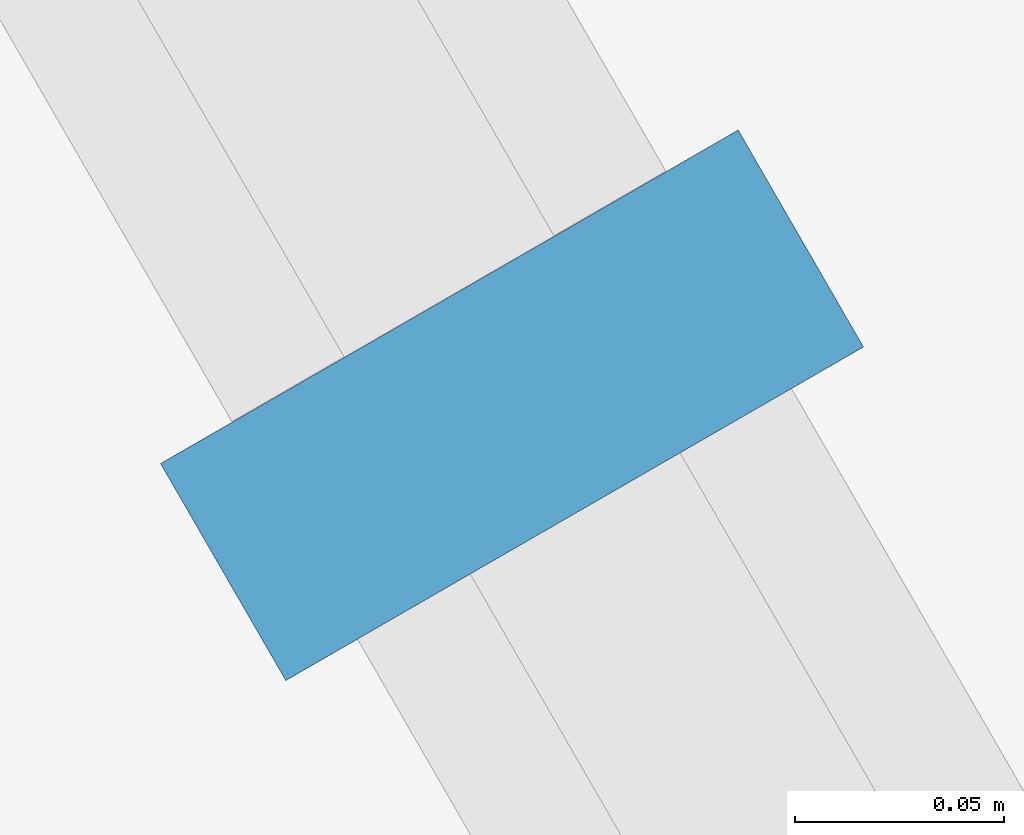
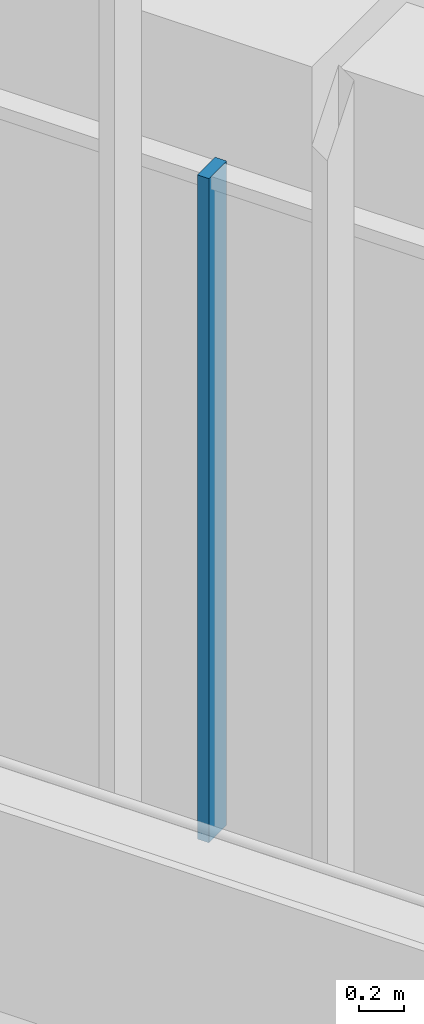
# One storey, part 3 of 127: 1 member, 1 element without a shape of its own.
"""IFC4 building model written with IfcOpenShell, lengths in metres."""

import ifcopenshell
import ifcopenshell.guid

model = None  # the IFC model being written
_history = None  # IfcOwnerHistory: only IFC2X3 demands one
_inside = {}  # id of a spatial element -> (the spatial element, [elements in it])
_under = {}  # id of a project, library or spatial element -> (it, [spatial elements below it])
_declared = {}  # id of a project -> (the project, [libraries it declares])
_typed = {}  # id of a type object -> (the type object, [elements of that type])
_made_of = {}  # id of a material, layer set ... -> (it, [elements and type objects made of it])


def new_model(schema):
    """Start an empty IFC model of exactly this schema.

    Asked for "IFC4X3", IfcOpenShell would pick the latest addendum, in which some entities
    have other attributes; the version numbers below select the first issue.
    IFC2X3 requires an IfcOwnerHistory on every rooted entity: one is made here for all.
    """
    global model, _history
    if schema == "IFC4X3":
        model = ifcopenshell.file(schema_version=(4, 3, 0, 0))
    else:
        model = ifcopenshell.file(schema=schema)
    _inside.clear()
    _under.clear()
    _declared.clear()
    _typed.clear()
    _made_of.clear()
    _history = None
    if model.schema == "IFC2X3":
        org = make("IfcOrganization", Name="unknown")
        user = make(
            "IfcPersonAndOrganization",
            ThePerson=make("IfcPerson", FamilyName="unknown"),
            TheOrganization=org,
        )
        app = make(
            "IfcApplication",
            ApplicationDeveloper=org,
            Version="unknown",
            ApplicationFullName="unknown",
            ApplicationIdentifier="unknown",
        )
        _history = make(
            "IfcOwnerHistory",
            OwningUser=user,
            OwningApplication=app,
            ChangeAction="ADDED",
            CreationDate=0,
        )
    return model


def make(cls, **values):
    """One entity of the class cls with the attributes given. An attribute that is None is left unset."""
    return model.create_entity(
        cls, **{name: value for name, value in values.items() if value is not None}
    )


def rooted(cls, **values):
    """An entity with a GlobalId (a new one), such as an element, a storey or a relation."""
    return make(cls, GlobalId=ifcopenshell.guid.new(), OwnerHistory=_history, **values)


def si_unit(unit_type, name, prefix=None):
    """IfcSIUnit, for example si_unit("LENGTHUNIT", "METRE", prefix="MILLI")."""
    return make("IfcSIUnit", UnitType=unit_type, Prefix=prefix, Name=name)


def assignment(units):
    """IfcUnitAssignment: the units of a project."""
    return None if units is None else make("IfcUnitAssignment", Units=units)


def point(xyz):
    """IfcCartesianPoint."""
    return None if xyz is None else make("IfcCartesianPoint", Coordinates=xyz)


def direction(xyz):
    """IfcDirection."""
    return None if xyz is None else make("IfcDirection", DirectionRatios=xyz)


def frame(location, z_axis=None, x_axis=None):
    """IfcAxis2Placement3D, a coordinate frame: its origin and axes. An axis left out is left unset."""
    return make(
        "IfcAxis2Placement3D",
        Location=point(location),
        Axis=direction(z_axis),
        RefDirection=direction(x_axis),
    )


def frame_2d(location, x_axis=None):
    """IfcAxis2Placement2D, a coordinate frame in the plane: its origin and x axis."""
    return make(
        "IfcAxis2Placement2D", Location=point(location), RefDirection=direction(x_axis)
    )


def origin():
    """The frame at (0, 0, 0) with its axes left unset."""
    return frame((0.0, 0.0, 0.0))


def origin_2d():
    """The frame at (0, 0) in the plane with its x axis left unset."""
    return frame_2d((0.0, 0.0))


def place(relative_to, where):
    """IfcLocalPlacement: puts the frame where relative to a parent placement (None: the world)."""
    return make(
        "IfcLocalPlacement", PlacementRelTo=relative_to, RelativePlacement=where
    )


def context(
    kind, dimensions, precision=None, world=None, true_north=None, identifier=None
):
    """IfcGeometricRepresentationContext, for example the 3D "Model" context."""
    return make(
        "IfcGeometricRepresentationContext",
        ContextIdentifier=identifier,
        ContextType=kind,
        CoordinateSpaceDimension=dimensions,
        Precision=precision,
        WorldCoordinateSystem=world,
        TrueNorth=true_north,
    )


def subcontext(parent, identifier, kind, view, scale=None):
    """IfcGeometricRepresentationSubContext, for example "Body" below "Model"."""
    return make(
        "IfcGeometricRepresentationSubContext",
        ContextIdentifier=identifier,
        ContextType=kind,
        ParentContext=parent,
        TargetScale=scale,
        TargetView=view,
    )


def project(units=None, contexts=None):
    """IfcProject with its units and contexts."""
    return rooted(
        "IfcProject",
        Name="project",
        RepresentationContexts=contexts,
        UnitsInContext=assignment(units),
    )


def spatial(cls, under=None, at=None, **own):
    """A site, building, storey or space (cls), placed at a placement, below another one or the project."""
    s = rooted(cls, ObjectPlacement=at, **own)
    if under is not None:
        _under.setdefault(under.id(), (under, []))[1].append(s)
    return s


def profile(cls, at=None, kind="AREA", **sizes):
    """A parametric profile (cls). Its sizes go by their IFC names, for example OverallWidth=200.0."""
    return make(cls, ProfileType=kind, Position=at, **sizes)


def rectangle(**sizes):
    """IfcRectangleProfileDef."""
    return profile("IfcRectangleProfileDef", **sizes)


def extrude(swept, where, along, depth):
    """IfcExtrudedAreaSolid: the profile swept, set in the frame where, extruded along a direction by depth."""
    return make(
        "IfcExtrudedAreaSolid",
        SweptArea=swept,
        Position=where,
        ExtrudedDirection=direction(along),
        Depth=depth,
    )


def shape(context_of_items, identifier, shape_type, items):
    """IfcShapeRepresentation: the items that make up one representation, for example the "Body"."""
    return make(
        "IfcShapeRepresentation",
        ContextOfItems=context_of_items,
        RepresentationIdentifier=identifier,
        RepresentationType=shape_type,
        Items=items,
    )


def material(Name=None, Category=None):
    """IfcMaterial."""
    return make("IfcMaterial", Name=Name, Category=Category)


def material_profile(
    of_material, cross_section, Name=None, Category=None, Priority=None
):
    """IfcMaterialProfile: a cross section and its material."""
    return make(
        "IfcMaterialProfile",
        Name=Name,
        Material=of_material,
        Profile=cross_section,
        Priority=Priority,
        Category=Category,
    )


def profile_set(profiles, Name=None, composite=None):
    """IfcMaterialProfileSet."""
    return make(
        "IfcMaterialProfileSet",
        Name=Name,
        MaterialProfiles=profiles,
        CompositeProfile=composite,
    )


def made_of(thing, what):
    """Note that an element or type object is made of a material, layer set ...; save() writes the relation."""
    if what is not None:
        _made_of.setdefault(what.id(), (what, []))[1].append(thing)
    return thing


def type_object(cls, material=None, **own):
    """A type object (cls), such as IfcWallType, which elements share."""
    return made_of(rooted(cls, **own), material)


def element(
    cls,
    number,
    at=None,
    inside=None,
    cuts=None,
    type_object=None,
    material=None,
    context=None,
    identifier="Body",
    shape_type=None,
    held_by="IfcProductDefinitionShape",
    body=None,
    shapes=None,
    **own,
):
    """One element of the class cls, such as IfcWall. Its Tag is "e" and its number.

    at: its placement. inside: the storey or other place that contains it. cuts: it is an
    opening in that element (IfcRelVoidsElement). A single representation is given by context,
    identifier, shape_type and body (its items); several are given by shapes. held_by: the class
    of the entity that holds the representations. save() writes the other relations.
    """
    e = rooted(cls, Tag="e%d" % number, ObjectPlacement=at, **own)
    if body is not None:
        shapes = [shape(context, identifier, shape_type, body)]
    if shapes is not None:
        e.Representation = make(held_by, Representations=shapes)
    if inside is not None:
        _inside.setdefault(inside.id(), (inside, []))[1].append(e)
    if cuts is not None:
        rooted(
            "IfcRelVoidsElement", RelatingBuildingElement=cuts, RelatedOpeningElement=e
        )
    if type_object is not None:
        _typed.setdefault(type_object.id(), (type_object, []))[1].append(e)
    return made_of(e, material)


def aggregate(whole, parts):
    """IfcRelAggregates: a whole, such as a stair, and the parts it consists of."""
    return rooted("IfcRelAggregates", RelatingObject=whole, RelatedObjects=parts)


def save(model, path):
    """Write the relations noted so far, then the file.

    IfcRelAggregates (storeys below a building ...), IfcRelContainedInSpatialStructure (elements
    in a storey), IfcRelDefinesByType, IfcRelAssociatesMaterial and IfcRelDeclares: one each for
    every whole, place, type object, material and project.
    """
    for whole, parts in _under.values():
        aggregate(whole, parts)
    for where, things in _inside.values():
        rooted(
            "IfcRelContainedInSpatialStructure",
            RelatedElements=things,
            RelatingStructure=where,
        )
    for kind, things in _typed.values():
        rooted("IfcRelDefinesByType", RelatedObjects=things, RelatingType=kind)
    for what, things in _made_of.values():
        rooted("IfcRelAssociatesMaterial", RelatedObjects=things, RelatingMaterial=what)
    for by, libraries in _declared.values():
        rooted("IfcRelDeclares", RelatingContext=by, RelatedDefinitions=libraries)
    model.write(path)


model = new_model("IFC4")

# Units and contexts
model_context = context("Model", 3, precision=1e-05, world=origin(), true_north=direction((0.0, 1.0)))
body_context = subcontext(model_context, "Body", "Model", "MODEL_VIEW")
ifc_project = project(units=[si_unit("LENGTHUNIT", "METRE"), si_unit("AREAUNIT", "SQUARE_METRE"), si_unit("VOLUMEUNIT", "CUBIC_METRE"), si_unit("PLANEANGLEUNIT", "RADIAN"), si_unit("MASSUNIT", "GRAM", prefix="KILO")], contexts=[model_context])

# Site, building, storey
site_placement = place(None, origin())
site = spatial("IfcSite", under=ifc_project, at=site_placement, CompositionType="ELEMENT")
building_placement = place(site_placement, origin())
building = spatial("IfcBuilding", under=site, at=building_placement, Name="Sandreach Pilgrim Tower", CompositionType="ELEMENT")
storey_placement = place(building_placement, frame((0.0, 0.0, 257.0)))
storey = spatial("IfcBuildingStorey", under=building, at=storey_placement, Name="L64", CompositionType="ELEMENT", Elevation=257.0)

# Curtain wall, member
ifc_material_1 = material(Name="Aluminium framed curtain wall", Category="aluminium")
curtain_wall_type = type_object("IfcCurtainWallType", Name="Suite tower curtain wall", PredefinedType="NOTDEFINED", material=ifc_material_1)
curtain_wall_placement = place(storey_placement, origin())
curtain_wall = element("IfcCurtainWall", 1, at=curtain_wall_placement, inside=storey, type_object=curtain_wall_type, Name="CW-4 L64 SW", PredefinedType="NOTDEFINED")
ifc_material_2 = material(Name="Aluminium extrusion", Category="aluminium")
ifc_material_profile = material_profile(ifc_material_2, rectangle(XDim=0.06005859375, YDim=0.159912109375, at=origin_2d()), Name="CW-4M 60X160")
ifc_profile_set = profile_set([ifc_material_profile], Name="Aluminium extrusion")
member_type = type_object("IfcMemberType", Name="CW-4 mullion", PredefinedType="MULLION", material=ifc_profile_set)
member_placement = place(storey_placement, frame((-12.642822265625, -17.7548828125, 0.0), z_axis=(0.0, 0.0, 1.0), x_axis=(-0.5, 0.866025403784, 0.0)))
member = element("IfcMember", 2, at=member_placement, type_object=member_type, Name="CW-4 mullion 3", PredefinedType="MULLION", context=body_context, shape_type="SweptSolid", body=[
    extrude(rectangle(XDim=0.06005859375, YDim=0.159912109375, at=origin_2d()), origin(), (0.0, 0.0, 1.0), 3.639892578125),
])
aggregate(curtain_wall, [member])

save(model, "model.ifc")
